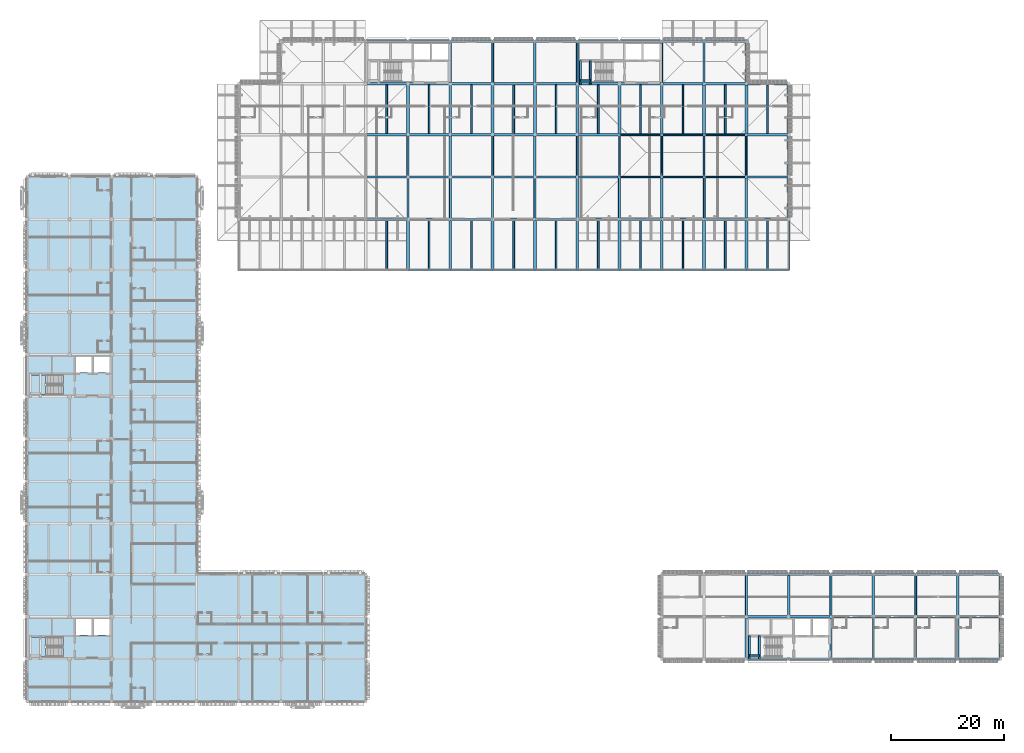
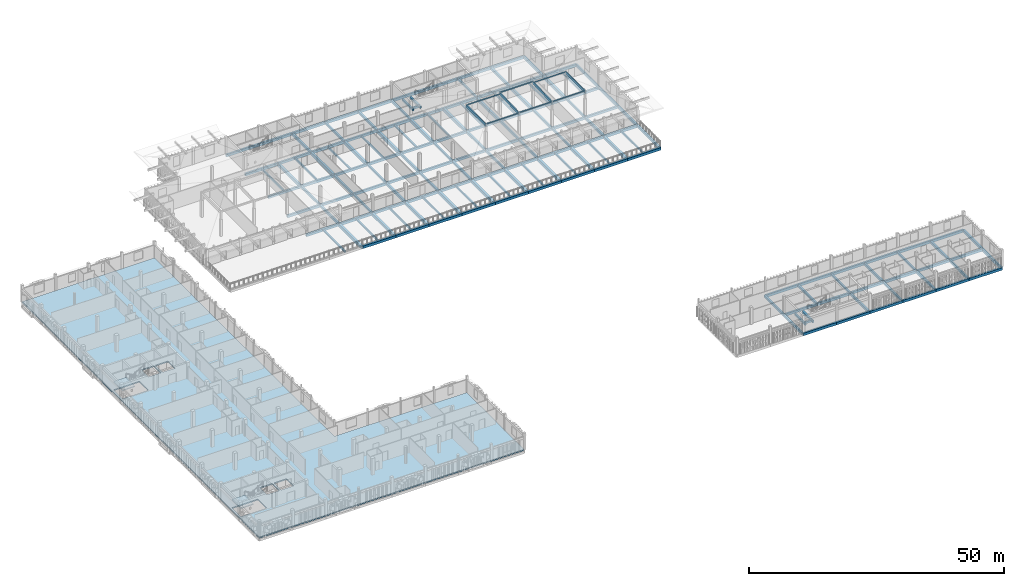
# One storey, part 13 of 48: 166 beams, 6 members, 3 slabs, 2 elements without a shape of their own.
"""IFC4 building model written with IfcOpenShell, lengths in metres."""

from ifc_helpers import new_model, si_unit, direction, frame, origin, origin_2d, place, context, subcontext, project, spatial, polyline, rectangle, i_section, outline, extrude, material, layer, layer_set, material_profile, profile_set, type_object, element, aggregate, save


model = new_model("IFC4")

# Units and contexts
model_context = context("Model", 3, precision=1e-05, world=origin(), true_north=direction((0.0, 1.0)))
body_context = subcontext(model_context, "Body", "Model", "MODEL_VIEW")
ifc_project = project(units=[si_unit("LENGTHUNIT", "METRE"), si_unit("AREAUNIT", "SQUARE_METRE"), si_unit("VOLUMEUNIT", "CUBIC_METRE"), si_unit("PLANEANGLEUNIT", "RADIAN"), si_unit("MASSUNIT", "GRAM", prefix="KILO")], contexts=[model_context])

# Site, building, storey
site_placement = place(None, origin())
site = spatial("IfcSite", under=ifc_project, at=site_placement, CompositionType="ELEMENT")
building_placement = place(site_placement, origin())
building = spatial("IfcBuilding", under=site, at=building_placement, Name="Dalvernix Boulevard General Hospital", CompositionType="ELEMENT")
storey_placement = place(building_placement, frame((0.0, 0.0, 17.85009765625)))
storey = spatial("IfcBuildingStorey", under=building, at=storey_placement, Name="L04", CompositionType="ELEMENT", Elevation=17.85009765625)

# Beams
ifc_material_1 = material(Name="Concrete C35/45", Category="concrete")
ifc_material_profile_1 = material_profile(ifc_material_1, rectangle(XDim=0.5, YDim=0.699951171875, at=origin_2d()), Name="RCB 500x700")
ifc_profile_set_1 = profile_set([ifc_material_profile_1], Name="Concrete C35/45")
beam_type_1 = type_object("IfcBeamType", Name="BM-B-01-I", PredefinedType="BEAM", material=ifc_profile_set_1)
for number, where, z_axis, x_axis, name in (
    (1, (67.5, 76.5, -0.630126953125), (0.0, 1.0, 0.0), (-1.0, 0.0, 0.0), "L04 N-S girder 10:L-M"),
    (2, (67.5, 100.5, -0.630126953125), (0.0, 1.0, 0.0), (-1.0, 0.0, 0.0), "L04 N-S girder 10:P-Q"),
    (3, (75.0, 76.5, -0.630126953125), (0.0, 1.0, 0.0), (-1.0, 0.0, 0.0), "L04 N-S girder 11:L-M"),
    (4, (75.0, 100.5, -0.630126953125), (0.0, 1.0, 0.0), (-1.0, 0.0, 0.0), "L04 N-S girder 11:P-Q"),
    (5, (82.5, 76.5, -0.630126953125), (0.0, 1.0, 0.0), (-1.0, 0.0, 0.0), "L04 N-S girder 12:L-M"),
    (6, (82.5, 100.5, -0.630126953125), (0.0, 1.0, 0.0), (-1.0, 0.0, 0.0), "L04 N-S girder 12:P-Q"),
    (7, (90.0, 76.5, -0.630126953125), (0.0, 1.0, 0.0), (-1.0, 0.0, 0.0), "L04 N-S girder 13:L-M"),
    (8, (90.0, 100.5, -0.630126953125), (0.0, 1.0, 0.0), (-1.0, 0.0, 0.0), "L04 N-S girder 13:P-Q"),
    (9, (97.5, 76.5, -0.630126953125), (0.0, 1.0, 0.0), (-1.0, 0.0, 0.0), "L04 N-S girder 14:L-M"),
    (10, (97.5, 100.5, -0.630126953125), (0.0, 1.0, 0.0), (-1.0, 0.0, 0.0), "L04 N-S girder 14:P-Q"),
    (11, (105.0, 76.5, -0.630126953125), (0.0, 1.0, 0.0), (-1.0, 0.0, 0.0), "L04 N-S girder 15:L-M"),
    (12, (105.0, 100.5, -0.630126953125), (0.0, 1.0, 0.0), (-1.0, 0.0, 0.0), "L04 N-S girder 15:P-Q"),
    (13, (112.5, 76.5, -0.630126953125), (0.0, 1.0, 0.0), (-1.0, 0.0, 0.0), "L04 N-S girder 16:L-M"),
    (14, (112.5, 100.5, -0.630126953125), (0.0, 1.0, 0.0), (-1.0, 0.0, 0.0), "L04 N-S girder 16:P-Q"),
    (15, (120.0, 76.5, -0.630126953125), (0.0, 1.0, 0.0), (-1.0, 0.0, 0.0), "L04 N-S girder 17:L-M"),
    (16, (120.0, 100.5, -0.630126953125), (0.0, 1.0, 0.0), (-1.0, 0.0, 0.0), "L04 N-S girder 17:P-Q"),
    (17, (127.5, 76.5, -0.630126953125), (0.0, 1.0, 0.0), (-1.0, 0.0, 0.0), "L04 N-S girder 18:L-M"),
    (18, (127.5, 100.5, -0.630126953125), (0.0, 1.0, 0.0), (-1.0, 0.0, 0.0), "L04 N-S girder 18:P-Q"),
):
    element("IfcBeam", number, at=place(storey_placement, frame(where, z_axis=z_axis, x_axis=x_axis)), inside=storey, type_object=beam_type_1, Name=name, PredefinedType="BEAM", context=body_context, shape_type="SweptSolid", body=[
        extrude(rectangle(XDim=0.5, YDim=0.699951171875, at=origin_2d()), origin(), (0.0, 0.0, 1.0), 9.0),
    ])
ifc_material_profile_2 = material_profile(ifc_material_1, rectangle(XDim=0.39990234375, YDim=0.60009765625, at=origin_2d()), Name="RCB 400x600")
ifc_profile_set_2 = profile_set([ifc_material_profile_2], Name="Concrete C35/45")
beam_type_2 = type_object("IfcBeamType", Name="BM-B-05-I", PredefinedType="BEAM", material=ifc_profile_set_2)
for number, where, z_axis, x_axis, name in (
    (19, (135.0, 15.0, -0.580078125), (1.0, 0.0, 0.0), (0.0, 1.0, 0.0), "L04 E-W girder C:19-20"),
    (20, (150.0, 15.0, -0.580078125), (1.0, 0.0, 0.0), (0.0, 1.0, 0.0), "L04 E-W girder C:21-22"),
    (21, (165.0, 15.0, -0.580078125), (1.0, 0.0, 0.0), (0.0, 1.0, 0.0), "L04 E-W girder C:23-24"),
    (22, (67.5, 85.5, -0.580078125), (1.0, 0.0, 0.0), (0.0, 1.0, 0.0), "L04 E-W girder M:10-11"),
    (23, (82.5, 85.5, -0.580078125), (1.0, 0.0, 0.0), (0.0, 1.0, 0.0), "L04 E-W girder M:12-13"),
    (24, (97.5, 85.5, -0.580078125), (1.0, 0.0, 0.0), (0.0, 1.0, 0.0), "L04 E-W girder M:14-15"),
    (25, (112.5, 85.5, -0.580078125), (1.0, 0.0, 0.0), (0.0, 1.0, 0.0), "L04 E-W girder M:16-17"),
    (26, (127.5, 85.5, -0.580078125), (1.0, 0.0, 0.0), (0.0, 1.0, 0.0), "L04 E-W girder M:18-19"),
    (27, (60.0, 93.0, -0.580078125), (1.0, 0.0, 0.0), (0.0, 1.0, 0.0), "L04 E-W girder N:9-10"),
    (28, (75.0, 93.0, -0.580078125), (1.0, 0.0, 0.0), (0.0, 1.0, 0.0), "L04 E-W girder N:11-12"),
    (29, (90.0, 93.0, -0.580078125), (1.0, 0.0, 0.0), (0.0, 1.0, 0.0), "L04 E-W girder N:13-14"),
    (30, (105.0, 93.0, -0.580078125), (1.0, 0.0, 0.0), (0.0, 1.0, 0.0), "L04 E-W girder N:15-16"),
    (31, (120.0, 93.0, -0.580078125), (1.0, 0.0, 0.0), (0.0, 1.0, 0.0), "L04 E-W girder N:17-18"),
    (32, (67.5, 100.5, -0.580078125), (1.0, 0.0, 0.0), (0.0, 1.0, 0.0), "L04 E-W girder P:10-11"),
    (33, (82.5, 100.5, -0.580078125), (1.0, 0.0, 0.0), (0.0, 1.0, 0.0), "L04 E-W girder P:12-13"),
    (34, (97.5, 100.5, -0.580078125), (1.0, 0.0, 0.0), (0.0, 1.0, 0.0), "L04 E-W girder P:14-15"),
    (35, (112.5, 100.5, -0.580078125), (1.0, 0.0, 0.0), (0.0, 1.0, 0.0), "L04 E-W girder P:16-17"),
    (36, (127.5, 100.5, -0.580078125), (1.0, 0.0, 0.0), (0.0, 1.0, 0.0), "L04 E-W girder P:18-19"),
    (37, (60.0, 109.5, -0.580078125), (1.0, 0.0, 0.0), (0.0, 1.0, 0.0), "L04 E-W girder Q:9-10"),
    (38, (75.0, 109.5, -0.580078125), (1.0, 0.0, 0.0), (0.0, 1.0, 0.0), "L04 E-W girder Q:11-12"),
    (39, (90.0, 109.5, -0.580078125), (1.0, 0.0, 0.0), (0.0, 1.0, 0.0), "L04 E-W girder Q:13-14"),
    (40, (105.0, 109.5, -0.580078125), (1.0, 0.0, 0.0), (0.0, 1.0, 0.0), "L04 E-W girder Q:15-16"),
    (41, (120.0, 109.5, -0.580078125), (1.0, 0.0, 0.0), (0.0, 1.0, 0.0), "L04 E-W girder Q:17-18"),
):
    element("IfcBeam", number, at=place(storey_placement, frame(where, z_axis=z_axis, x_axis=x_axis)), inside=storey, type_object=beam_type_2, Name=name, PredefinedType="BEAM", context=body_context, shape_type="SweptSolid", body=[
        extrude(rectangle(XDim=0.39990234375, YDim=0.60009765625, at=origin_2d()), origin(), (0.0, 0.0, 1.0), 7.5),
    ])
ifc_material_profile_3 = material_profile(ifc_material_1, rectangle(XDim=0.39990234375, YDim=0.550048828125, at=origin_2d()), Name="RCB 400x550")
ifc_profile_set_3 = profile_set([ifc_material_profile_3], Name="Concrete C35/45")
beam_type_3 = type_object("IfcBeamType", Name="BM-B-06-I", PredefinedType="BEAM", material=ifc_profile_set_3)
for number, where, z_axis, x_axis, name in (
    (42, (127.5, 15.0, -0.55517578125), (1.0, 0.0, 0.0), (0.0, 1.0, 0.0), "L04 E-W girder C:18-19"),
    (43, (142.5, 15.0, -0.55517578125), (1.0, 0.0, 0.0), (0.0, 1.0, 0.0), "L04 E-W girder C:20-21"),
    (44, (157.5, 15.0, -0.55517578125), (1.0, 0.0, 0.0), (0.0, 1.0, 0.0), "L04 E-W girder C:22-23"),
    (45, (60.0, 85.5, -0.55517578125), (1.0, 0.0, 0.0), (0.0, 1.0, 0.0), "L04 E-W girder M:9-10"),
    (46, (75.0, 85.5, -0.55517578125), (1.0, 0.0, 0.0), (0.0, 1.0, 0.0), "L04 E-W girder M:11-12"),
    (47, (90.0, 85.5, -0.55517578125), (1.0, 0.0, 0.0), (0.0, 1.0, 0.0), "L04 E-W girder M:13-14"),
    (48, (105.0, 85.5, -0.55517578125), (1.0, 0.0, 0.0), (0.0, 1.0, 0.0), "L04 E-W girder M:15-16"),
    (49, (120.0, 85.5, -0.55517578125), (1.0, 0.0, 0.0), (0.0, 1.0, 0.0), "L04 E-W girder M:17-18"),
    (50, (67.5, 93.0, -0.55517578125), (1.0, 0.0, 0.0), (0.0, 1.0, 0.0), "L04 E-W girder N:10-11"),
    (51, (82.5, 93.0, -0.55517578125), (1.0, 0.0, 0.0), (0.0, 1.0, 0.0), "L04 E-W girder N:12-13"),
    (52, (97.5, 93.0, -0.55517578125), (1.0, 0.0, 0.0), (0.0, 1.0, 0.0), "L04 E-W girder N:14-15"),
    (53, (112.5, 93.0, -0.55517578125), (1.0, 0.0, 0.0), (0.0, 1.0, 0.0), "L04 E-W girder N:16-17"),
    (54, (127.5, 93.0, -0.55517578125), (1.0, 0.0, 0.0), (0.0, 1.0, 0.0), "L04 E-W girder N:18-19"),
    (55, (60.0, 100.5, -0.55517578125), (1.0, 0.0, 0.0), (0.0, 1.0, 0.0), "L04 E-W girder P:9-10"),
    (56, (75.0, 100.5, -0.55517578125), (1.0, 0.0, 0.0), (0.0, 1.0, 0.0), "L04 E-W girder P:11-12"),
    (57, (90.0, 100.5, -0.55517578125), (1.0, 0.0, 0.0), (0.0, 1.0, 0.0), "L04 E-W girder P:13-14"),
    (58, (105.0, 100.5, -0.55517578125), (1.0, 0.0, 0.0), (0.0, 1.0, 0.0), "L04 E-W girder P:15-16"),
    (59, (120.0, 100.5, -0.55517578125), (1.0, 0.0, 0.0), (0.0, 1.0, 0.0), "L04 E-W girder P:17-18"),
    (60, (67.5, 109.5, -0.55517578125), (1.0, 0.0, 0.0), (0.0, 1.0, 0.0), "L04 E-W girder Q:10-11"),
    (61, (82.5, 109.5, -0.55517578125), (1.0, 0.0, 0.0), (0.0, 1.0, 0.0), "L04 E-W girder Q:12-13"),
    (62, (97.5, 109.5, -0.55517578125), (1.0, 0.0, 0.0), (0.0, 1.0, 0.0), "L04 E-W girder Q:14-15"),
    (63, (112.5, 109.5, -0.55517578125), (1.0, 0.0, 0.0), (0.0, 1.0, 0.0), "L04 E-W girder Q:16-17"),
    (64, (67.5, 85.5, -0.55517578125), (0.0, 1.0, 0.0), (-1.0, 0.0, 0.0), "L04 N-S girder 10:M-N"),
    (65, (75.0, 93.0, -0.55517578125), (0.0, 1.0, 0.0), (-1.0, 0.0, 0.0), "L04 N-S girder 11:N-P"),
    (66, (75.0, 109.5, -0.55517578125), (0.0, 1.0, 0.0), (-1.0, 0.0, 0.0), "L04 N-S girder 11:Q-R"),
    (67, (82.5, 85.5, -0.55517578125), (0.0, 1.0, 0.0), (-1.0, 0.0, 0.0), "L04 N-S girder 12:M-N"),
    (68, (90.0, 93.0, -0.55517578125), (0.0, 1.0, 0.0), (-1.0, 0.0, 0.0), "L04 N-S girder 13:N-P"),
    (69, (90.0, 109.5, -0.55517578125), (0.0, 1.0, 0.0), (-1.0, 0.0, 0.0), "L04 N-S girder 13:Q-R"),
    (70, (97.5, 85.5, -0.55517578125), (0.0, 1.0, 0.0), (-1.0, 0.0, 0.0), "L04 N-S girder 14:M-N"),
    (71, (105.0, 93.0, -0.55517578125), (0.0, 1.0, 0.0), (-1.0, 0.0, 0.0), "L04 N-S girder 15:N-P"),
    (72, (112.5, 85.5, -0.55517578125), (0.0, 1.0, 0.0), (-1.0, 0.0, 0.0), "L04 N-S girder 16:M-N"),
    (73, (120.0, 93.0, -0.55517578125), (0.0, 1.0, 0.0), (-1.0, 0.0, 0.0), "L04 N-S girder 17:N-P"),
    (74, (120.0, 109.5, -0.55517578125), (0.0, 1.0, 0.0), (-1.0, 0.0, 0.0), "L04 N-S girder 17:Q-R"),
    (75, (127.5, 7.5, -0.55517578125), (0.0, 1.0, 0.0), (-1.0, 0.0, 0.0), "L04 N-S girder 18:B-C"),
    (76, (127.5, 85.5, -0.55517578125), (0.0, 1.0, 0.0), (-1.0, 0.0, 0.0), "L04 N-S girder 18:M-N"),
    (77, (135.0, 15.0, -0.55517578125), (0.0, 1.0, 0.0), (-1.0, 0.0, 0.0), "L04 N-S girder 19:C-D"),
    (78, (142.5, 7.5, -0.55517578125), (0.0, 1.0, 0.0), (-1.0, 0.0, 0.0), "L04 N-S girder 20:B-C"),
    (79, (150.0, 15.0, -0.55517578125), (0.0, 1.0, 0.0), (-1.0, 0.0, 0.0), "L04 N-S girder 21:C-D"),
    (80, (157.5, 7.5, -0.55517578125), (0.0, 1.0, 0.0), (-1.0, 0.0, 0.0), "L04 N-S girder 22:B-C"),
    (81, (165.0, 15.0, -0.55517578125), (0.0, 1.0, 0.0), (-1.0, 0.0, 0.0), "L04 N-S girder 23:C-D"),
):
    element("IfcBeam", number, at=place(storey_placement, frame(where, z_axis=z_axis, x_axis=x_axis)), inside=storey, type_object=beam_type_3, Name=name, PredefinedType="BEAM", context=body_context, shape_type="SweptSolid", body=[
        extrude(rectangle(XDim=0.39990234375, YDim=0.550048828125, at=origin_2d()), origin(), (0.0, 0.0, 1.0), 7.5),
    ])
ifc_material_profile_4 = material_profile(ifc_material_1, rectangle(XDim=0.35009765625, YDim=0.5, at=origin_2d()), Name="RCB 350x500")
ifc_profile_set_4 = profile_set([ifc_material_profile_4], Name="Concrete C35/45")
beam_type_4 = type_object("IfcBeamType", Name="BM-B-08", PredefinedType="BEAM", material=ifc_profile_set_4)
for number, where, z_axis, x_axis, name in (
    (82, (98.050048828125, 109.5, 1.574951171875), (0.0, 1.0, 0.0), (-1.0, 0.0, 0.0), "L04 C4 stair half-landing beam 1"),
    (83, (99.800048828125, 109.5, 1.574951171875), (0.0, 1.0, 0.0), (-1.0, 0.0, 0.0), "L04 C4 stair half-landing beam 2"),
):
    element("IfcBeam", number, at=place(storey_placement, frame(where, z_axis=z_axis, x_axis=x_axis)), inside=storey, type_object=beam_type_4, Name=name, PredefinedType="BEAM", context=body_context, shape_type="SweptSolid", body=[
        extrude(rectangle(XDim=0.35009765625, YDim=0.5, at=origin_2d()), origin(), (0.0, 0.0, 1.0), 4.10009765625),
    ])
beam_1_placement = place(storey_placement, frame((98.050048828125, 110.050048828125, 1.574951171875), z_axis=(1.0, 0.0, 0.0), x_axis=(0.0, 1.0, 0.0)))
element("IfcBeam", 84, at=beam_1_placement, inside=storey, type_object=beam_type_4, Name="L04 C4 stair half-landing tie beam", PredefinedType="BEAM", context=body_context, shape_type="SweptSolid", body=[
    extrude(rectangle(XDim=0.35009765625, YDim=0.5, at=origin_2d()), origin(), (0.0, 0.0, 1.0), 1.75),
])
for number, where, z_axis, x_axis, name in (
    (85, (128.050048828125, 7.5, 1.574951171875), (0.0, 1.0, 0.0), (-1.0, 0.0, 0.0), "L04 C5 stair half-landing beam 1"),
    (86, (129.800048828125, 7.5, 1.574951171875), (0.0, 1.0, 0.0), (-1.0, 0.0, 0.0), "L04 C5 stair half-landing beam 2"),
):
    element("IfcBeam", number, at=place(storey_placement, frame(where, z_axis=z_axis, x_axis=x_axis)), inside=storey, type_object=beam_type_4, Name=name, PredefinedType="BEAM", context=body_context, shape_type="SweptSolid", body=[
        extrude(rectangle(XDim=0.35009765625, YDim=0.5, at=origin_2d()), origin(), (0.0, 0.0, 1.0), 4.10009765625),
    ])
beam_2_placement = place(storey_placement, frame((128.050048828125, 8.050048828125, 1.574951171875), z_axis=(1.0, 0.0, 0.0), x_axis=(0.0, 1.0, 0.0)))
element("IfcBeam", 87, at=beam_2_placement, inside=storey, type_object=beam_type_4, Name="L04 C5 stair half-landing tie beam", PredefinedType="BEAM", context=body_context, shape_type="SweptSolid", body=[
    extrude(rectangle(XDim=0.35009765625, YDim=0.5, at=origin_2d()), origin(), (0.0, 0.0, 1.0), 1.75),
])
ifc_material_profile_5 = material_profile(ifc_material_1, rectangle(XDim=0.35009765625, YDim=0.5, at=origin_2d()), Name="RCB 350x500")
ifc_profile_set_5 = profile_set([ifc_material_profile_5], Name="Concrete C35/45")
beam_type_5 = type_object("IfcBeamType", Name="BM-B-08-I", PredefinedType="BEAM", material=ifc_profile_set_5)
for number, where, z_axis, x_axis, name in (
    (88, (67.5, 93.0, -0.530029296875), (0.0, 1.0, 0.0), (-1.0, 0.0, 0.0), "L04 N-S girder 10:N-P"),
    (89, (75.0, 85.5, -0.530029296875), (0.0, 1.0, 0.0), (-1.0, 0.0, 0.0), "L04 N-S girder 11:M-N"),
    (90, (82.5, 93.0, -0.530029296875), (0.0, 1.0, 0.0), (-1.0, 0.0, 0.0), "L04 N-S girder 12:N-P"),
    (91, (82.5, 109.5, -0.530029296875), (0.0, 1.0, 0.0), (-1.0, 0.0, 0.0), "L04 N-S girder 12:Q-R"),
    (92, (90.0, 85.5, -0.530029296875), (0.0, 1.0, 0.0), (-1.0, 0.0, 0.0), "L04 N-S girder 13:M-N"),
    (93, (97.5, 93.0, -0.530029296875), (0.0, 1.0, 0.0), (-1.0, 0.0, 0.0), "L04 N-S girder 14:N-P"),
    (94, (97.5, 109.5, -0.530029296875), (0.0, 1.0, 0.0), (-1.0, 0.0, 0.0), "L04 N-S girder 14:Q-R"),
    (95, (105.0, 85.5, -0.530029296875), (0.0, 1.0, 0.0), (-1.0, 0.0, 0.0), "L04 N-S girder 15:M-N"),
    (96, (112.5, 93.0, -0.530029296875), (0.0, 1.0, 0.0), (-1.0, 0.0, 0.0), "L04 N-S girder 16:N-P"),
    (97, (112.5, 109.5, -0.530029296875), (0.0, 1.0, 0.0), (-1.0, 0.0, 0.0), "L04 N-S girder 16:Q-R"),
    (98, (120.0, 85.5, -0.530029296875), (0.0, 1.0, 0.0), (-1.0, 0.0, 0.0), "L04 N-S girder 17:M-N"),
    (99, (127.5, 15.0, -0.530029296875), (0.0, 1.0, 0.0), (-1.0, 0.0, 0.0), "L04 N-S girder 18:C-D"),
    (100, (127.5, 93.0, -0.530029296875), (0.0, 1.0, 0.0), (-1.0, 0.0, 0.0), "L04 N-S girder 18:N-P"),
    (101, (142.5, 15.0, -0.530029296875), (0.0, 1.0, 0.0), (-1.0, 0.0, 0.0), "L04 N-S girder 20:C-D"),
    (102, (150.0, 7.5, -0.530029296875), (0.0, 1.0, 0.0), (-1.0, 0.0, 0.0), "L04 N-S girder 21:B-C"),
    (103, (157.5, 15.0, -0.530029296875), (0.0, 1.0, 0.0), (-1.0, 0.0, 0.0), "L04 N-S girder 22:C-D"),
    (104, (165.0, 7.5, -0.530029296875), (0.0, 1.0, 0.0), (-1.0, 0.0, 0.0), "L04 N-S girder 23:B-C"),
):
    element("IfcBeam", number, at=place(storey_placement, frame(where, z_axis=z_axis, x_axis=x_axis)), inside=storey, type_object=beam_type_5, Name=name, PredefinedType="BEAM", context=body_context, shape_type="SweptSolid", body=[
        extrude(rectangle(XDim=0.35009765625, YDim=0.5, at=origin_2d()), origin(), (0.0, 0.0, 1.0), 7.5),
    ])
ifc_material_2 = material(Name="Glulam GL28h", Category="wood")
ifc_material_profile_6 = material_profile(ifc_material_2, rectangle(XDim=0.219970703125, YDim=0.60009765625, at=origin_2d()), Name="GL28h 220x600")
ifc_profile_set_6 = profile_set([ifc_material_profile_6], Name="Glulam GL28h")
beam_type_6 = type_object("IfcBeamType", Name="BM-GB-T2", PredefinedType="JOIST", material=ifc_profile_set_6)
beam_3_placement = place(storey_placement, frame((105.0, 93.0, 5.561767578125), z_axis=(0.0, 1.0, 0.0), x_axis=(-1.0, 0.0, 0.0)))
element("IfcBeam", 105, at=beam_3_placement, inside=storey, type_object=beam_type_6, Name="V3E pitched glulam rafter 15:N-P", PredefinedType="JOIST", context=body_context, shape_type="SweptSolid", body=[
    extrude(rectangle(XDim=0.219970703125, YDim=0.60009765625, at=origin_2d()), origin(), (0.0, 0.0, 1.0), 7.5),
])
for number, where, z_axis, x_axis, name in (
    (106, (112.5, 93.0, 5.659912109375), (0.0, 0.999351365394, 0.036011782601), (-1.0, 0.0, 0.0), "V3E pitched glulam rafter 16:N-P"),
    (107, (120.0, 93.0, 5.659912109375), (0.0, 0.999351365394, 0.036011782601), (-1.0, 0.0, 0.0), "V3E pitched glulam rafter 17:N-P"),
):
    element("IfcBeam", number, at=place(storey_placement, frame(where, z_axis=z_axis, x_axis=x_axis)), inside=storey, type_object=beam_type_6, Name=name, PredefinedType="JOIST", context=body_context, shape_type="SweptSolid", body=[
        extrude(rectangle(XDim=0.219970703125, YDim=0.60009765625, at=origin_2d()), origin(), (0.0, 0.0, 1.0), 7.5048828125),
    ])
beam_4_placement = place(storey_placement, frame((127.5, 93.0, 5.659912109375), z_axis=(0.0, 1.0, 0.0), x_axis=(-1.0, 0.0, 0.0)))
element("IfcBeam", 108, at=beam_4_placement, inside=storey, type_object=beam_type_6, Name="V3E pitched glulam rafter 18:N-P", PredefinedType="JOIST", context=body_context, shape_type="SweptSolid", body=[
    extrude(rectangle(XDim=0.219970703125, YDim=0.60009765625, at=origin_2d()), origin(), (0.0, 0.0, 1.0), 7.5),
])
ifc_material_profile_7 = material_profile(ifc_material_1, rectangle(XDim=0.300048828125, YDim=0.39990234375, at=origin_2d()), Name="RCB 300x400")
ifc_profile_set_7 = profile_set([ifc_material_profile_7], Name="Concrete C35/45")
beam_type_7 = type_object("IfcBeamType", Name="BM-JB-01", PredefinedType="JOIST", material=ifc_profile_set_7)
for number, where, z_axis, x_axis, name in (
    (109, (63.75, 76.699951171875, -0.47998046875), (0.0, 1.0, 0.0), (-1.0, 0.0, 0.0), "L04 secondary floor beam 9-L"),
    (110, (63.75, 100.699951171875, -0.47998046875), (0.0, 1.0, 0.0), (-1.0, 0.0, 0.0), "L04 secondary floor beam 9-P"),
    (111, (71.25, 76.699951171875, -0.47998046875), (0.0, 1.0, 0.0), (-1.0, 0.0, 0.0), "L04 secondary floor beam 10-L"),
    (112, (71.25, 100.699951171875, -0.47998046875), (0.0, 1.0, 0.0), (-1.0, 0.0, 0.0), "L04 secondary floor beam 10-P"),
    (113, (78.75, 76.699951171875, -0.47998046875), (0.0, 1.0, 0.0), (-1.0, 0.0, 0.0), "L04 secondary floor beam 11-L"),
    (114, (78.75, 100.699951171875, -0.47998046875), (0.0, 1.0, 0.0), (-1.0, 0.0, 0.0), "L04 secondary floor beam 11-P"),
    (115, (86.25, 76.699951171875, -0.47998046875), (0.0, 1.0, 0.0), (-1.0, 0.0, 0.0), "L04 secondary floor beam 12-L"),
    (116, (86.25, 100.699951171875, -0.47998046875), (0.0, 1.0, 0.0), (-1.0, 0.0, 0.0), "L04 secondary floor beam 12-P"),
    (117, (93.75, 76.699951171875, -0.47998046875), (0.0, 1.0, 0.0), (-1.0, 0.0, 0.0), "L04 secondary floor beam 13-L"),
    (118, (93.75, 100.699951171875, -0.47998046875), (0.0, 1.0, 0.0), (-1.0, 0.0, 0.0), "L04 secondary floor beam 13-P"),
    (119, (101.25, 76.699951171875, -0.47998046875), (0.0, 1.0, 0.0), (-1.0, 0.0, 0.0), "L04 secondary floor beam 14-L"),
    (120, (101.25, 100.699951171875, -0.47998046875), (0.0, 1.0, 0.0), (-1.0, 0.0, 0.0), "L04 secondary floor beam 14-P"),
    (121, (108.75, 76.699951171875, -0.47998046875), (0.0, 1.0, 0.0), (-1.0, 0.0, 0.0), "L04 secondary floor beam 15-L"),
    (122, (108.75, 100.699951171875, -0.47998046875), (0.0, 1.0, 0.0), (-1.0, 0.0, 0.0), "L04 secondary floor beam 15-P"),
    (123, (116.25, 76.699951171875, -0.47998046875), (0.0, 1.0, 0.0), (-1.0, 0.0, 0.0), "L04 secondary floor beam 16-L"),
    (124, (116.25, 100.699951171875, -0.47998046875), (0.0, 1.0, 0.0), (-1.0, 0.0, 0.0), "L04 secondary floor beam 16-P"),
    (125, (123.75, 76.699951171875, -0.47998046875), (0.0, 1.0, 0.0), (-1.0, 0.0, 0.0), "L04 secondary floor beam 17-L"),
    (126, (123.75, 100.699951171875, -0.47998046875), (0.0, 1.0, 0.0), (-1.0, 0.0, 0.0), "L04 secondary floor beam 17-P"),
    (127, (131.25, 76.699951171875, -0.47998046875), (0.0, 1.0, 0.0), (-1.0, 0.0, 0.0), "L04 secondary floor beam 18-L"),
    (128, (131.25, 100.699951171875, -0.47998046875), (0.0, 1.0, 0.0), (-1.0, 0.0, 0.0), "L04 secondary floor beam 18-P"),
):
    element("IfcBeam", number, at=place(storey_placement, frame(where, z_axis=z_axis, x_axis=x_axis)), inside=storey, type_object=beam_type_7, Name=name, PredefinedType="JOIST", context=body_context, shape_type="SweptSolid", body=[
        extrude(rectangle(XDim=0.300048828125, YDim=0.39990234375, at=origin_2d()), origin(), (0.0, 0.0, 1.0), 8.60009765625),
    ])
ifc_material_profile_8 = material_profile(ifc_material_1, rectangle(XDim=0.35009765625, YDim=0.550048828125, at=origin_2d()), Name="RCB 350x550")
ifc_profile_set_8 = profile_set([ifc_material_profile_8], Name="Concrete C35/45")
beam_type_8 = type_object("IfcBeamType", Name="BM-SB-01-E", PredefinedType="SPANDREL", material=ifc_profile_set_8)
for number, where, z_axis, x_axis, name in (
    (129, (135.0, 76.5, -0.55517578125), (0.0, 1.0, 0.0), (-1.0, 0.0, 0.0), "L04 N-S girder 19:L-M"),
    (130, (135.0, 100.5, -0.55517578125), (0.0, 1.0, 0.0), (-1.0, 0.0, 0.0), "L04 N-S girder 19:P-Q"),
):
    element("IfcBeam", number, at=place(storey_placement, frame(where, z_axis=z_axis, x_axis=x_axis)), inside=storey, type_object=beam_type_8, Name=name, PredefinedType="SPANDREL", context=body_context, shape_type="SweptSolid", body=[
        extrude(rectangle(XDim=0.35009765625, YDim=0.550048828125, at=origin_2d()), origin(), (0.0, 0.0, 1.0), 9.0),
    ])
ifc_material_profile_9 = material_profile(ifc_material_1, rectangle(XDim=0.39990234375, YDim=0.60009765625, at=origin_2d()), Name="RCB 400x600")
ifc_profile_set_9 = profile_set([ifc_material_profile_9], Name="Concrete C35/45")
beam_type_9 = type_object("IfcBeamType", Name="BM-SB-02-E", PredefinedType="SPANDREL", material=ifc_profile_set_9)
for number, where, z_axis, x_axis, name in (
    (131, (127.5, 7.5, -0.580078125), (1.0, 0.0, 0.0), (0.0, 1.0, 0.0), "L04 E-W girder B:18-19"),
    (132, (135.0, 7.5, -0.580078125), (1.0, 0.0, 0.0), (0.0, 1.0, 0.0), "L04 E-W girder B:19-20"),
    (133, (142.5, 7.5, -0.580078125), (1.0, 0.0, 0.0), (0.0, 1.0, 0.0), "L04 E-W girder B:20-21"),
    (134, (150.0, 7.5, -0.580078125), (1.0, 0.0, 0.0), (0.0, 1.0, 0.0), "L04 E-W girder B:21-22"),
    (135, (157.5, 7.5, -0.580078125), (1.0, 0.0, 0.0), (0.0, 1.0, 0.0), "L04 E-W girder B:22-23"),
    (136, (165.0, 7.5, -0.580078125), (1.0, 0.0, 0.0), (0.0, 1.0, 0.0), "L04 E-W girder B:23-24"),
    (137, (127.5, 22.5, -0.580078125), (1.0, 0.0, 0.0), (0.0, 1.0, 0.0), "L04 E-W girder D:18-19"),
    (138, (135.0, 22.5, -0.580078125), (1.0, 0.0, 0.0), (0.0, 1.0, 0.0), "L04 E-W girder D:19-20"),
    (139, (142.5, 22.5, -0.580078125), (1.0, 0.0, 0.0), (0.0, 1.0, 0.0), "L04 E-W girder D:20-21"),
    (140, (150.0, 22.5, -0.580078125), (1.0, 0.0, 0.0), (0.0, 1.0, 0.0), "L04 E-W girder D:21-22"),
    (141, (157.5, 22.5, -0.580078125), (1.0, 0.0, 0.0), (0.0, 1.0, 0.0), "L04 E-W girder D:22-23"),
    (142, (165.0, 22.5, -0.580078125), (1.0, 0.0, 0.0), (0.0, 1.0, 0.0), "L04 E-W girder D:23-24"),
    (143, (67.5, 76.5, -0.580078125), (1.0, 0.0, 0.0), (0.0, 1.0, 0.0), "L04 E-W girder L:10-11"),
    (144, (75.0, 76.5, -0.580078125), (1.0, 0.0, 0.0), (0.0, 1.0, 0.0), "L04 E-W girder L:11-12"),
    (145, (82.5, 76.5, -0.580078125), (1.0, 0.0, 0.0), (0.0, 1.0, 0.0), "L04 E-W girder L:12-13"),
    (146, (90.0, 76.5, -0.580078125), (1.0, 0.0, 0.0), (0.0, 1.0, 0.0), "L04 E-W girder L:13-14"),
    (147, (97.5, 76.5, -0.580078125), (1.0, 0.0, 0.0), (0.0, 1.0, 0.0), "L04 E-W girder L:14-15"),
    (148, (105.0, 76.5, -0.580078125), (1.0, 0.0, 0.0), (0.0, 1.0, 0.0), "L04 E-W girder L:15-16"),
    (149, (112.5, 76.5, -0.580078125), (1.0, 0.0, 0.0), (0.0, 1.0, 0.0), "L04 E-W girder L:16-17"),
    (150, (120.0, 76.5, -0.580078125), (1.0, 0.0, 0.0), (0.0, 1.0, 0.0), "L04 E-W girder L:17-18"),
    (151, (127.5, 76.5, -0.580078125), (1.0, 0.0, 0.0), (0.0, 1.0, 0.0), "L04 E-W girder L:18-19"),
    (152, (127.5, 109.5, -0.580078125), (1.0, 0.0, 0.0), (0.0, 1.0, 0.0), "L04 E-W girder Q:18-19"),
    (153, (60.0, 117.0, -0.580078125), (1.0, 0.0, 0.0), (0.0, 1.0, 0.0), "L04 E-W girder R:9-10"),
    (154, (67.5, 117.0, -0.580078125), (1.0, 0.0, 0.0), (0.0, 1.0, 0.0), "L04 E-W girder R:10-11"),
    (155, (75.0, 117.0, -0.580078125), (1.0, 0.0, 0.0), (0.0, 1.0, 0.0), "L04 E-W girder R:11-12"),
    (156, (82.5, 117.0, -0.580078125), (1.0, 0.0, 0.0), (0.0, 1.0, 0.0), "L04 E-W girder R:12-13"),
    (157, (90.0, 117.0, -0.580078125), (1.0, 0.0, 0.0), (0.0, 1.0, 0.0), "L04 E-W girder R:13-14"),
    (158, (97.5, 117.0, -0.580078125), (1.0, 0.0, 0.0), (0.0, 1.0, 0.0), "L04 E-W girder R:14-15"),
    (159, (105.0, 117.0, -0.580078125), (1.0, 0.0, 0.0), (0.0, 1.0, 0.0), "L04 E-W girder R:15-16"),
    (160, (112.5, 117.0, -0.580078125), (1.0, 0.0, 0.0), (0.0, 1.0, 0.0), "L04 E-W girder R:16-17"),
    (161, (120.0, 117.0, -0.580078125), (1.0, 0.0, 0.0), (0.0, 1.0, 0.0), "L04 E-W girder R:17-18"),
    (162, (127.5, 109.5, -0.580078125), (0.0, 1.0, 0.0), (-1.0, 0.0, 0.0), "L04 N-S girder 18:Q-R"),
    (163, (135.0, 85.5, -0.580078125), (0.0, 1.0, 0.0), (-1.0, 0.0, 0.0), "L04 N-S girder 19:M-N"),
    (164, (135.0, 93.0, -0.580078125), (0.0, 1.0, 0.0), (-1.0, 0.0, 0.0), "L04 N-S girder 19:N-P"),
    (165, (172.5, 7.5, -0.580078125), (0.0, 1.0, 0.0), (-1.0, 0.0, 0.0), "L04 N-S girder 24:B-C"),
    (166, (172.5, 15.0, -0.580078125), (0.0, 1.0, 0.0), (-1.0, 0.0, 0.0), "L04 N-S girder 24:C-D"),
):
    element("IfcBeam", number, at=place(storey_placement, frame(where, z_axis=z_axis, x_axis=x_axis)), inside=storey, type_object=beam_type_9, Name=name, PredefinedType="SPANDREL", context=body_context, shape_type="SweptSolid", body=[
        extrude(rectangle(XDim=0.39990234375, YDim=0.60009765625, at=origin_2d()), origin(), (0.0, 0.0, 1.0), 7.5),
    ])

# Members
ifc_material_3 = material(Name="Steel S355", Category="steel")
ifc_material_profile_10 = material_profile(ifc_material_3, i_section(OverallWidth=0.199951171875, OverallDepth=0.199951171875, WebThickness=0.009033203125, FlangeThickness=0.014892578125, FilletRadius=0.01806640625, at=origin_2d()), Name="HEB 200")
ifc_profile_set_10 = profile_set([ifc_material_profile_10], Name="Steel S355")
member_type = type_object("IfcMemberType", Name="MEM-PR-06", PredefinedType="PURLIN", material=ifc_profile_set_10)
for number, where, z_axis, x_axis, name in (
    (167, (105.0, 93.0, 5.771728515625), (1.0, 0.0, 0.0), (0.0, 1.0, 0.0), "V3E attic purlin 15-16:N"),
    (168, (105.0, 100.5, 5.771728515625), (1.0, 0.0, 0.0), (0.0, 1.0, 0.0), "V3E attic purlin 15-16:P"),
    (169, (112.5, 93.0, 5.8701171875), (1.0, 0.0, 0.0), (0.0, 1.0, 0.0), "V3E attic purlin 16-17:N"),
    (170, (112.5, 100.5, 6.14013671875), (1.0, 0.0, 0.0), (0.0, 1.0, 0.0), "V3E attic purlin 16-17:P"),
    (171, (120.0, 93.0, 5.8701171875), (1.0, 0.0, 0.0), (0.0, 1.0, 0.0), "V3E attic purlin 17-18:N"),
    (172, (120.0, 100.5, 5.8701171875), (1.0, 0.0, 0.0), (0.0, 1.0, 0.0), "V3E attic purlin 17-18:P"),
):
    element("IfcMember", number, at=place(storey_placement, frame(where, z_axis=z_axis, x_axis=x_axis)), inside=storey, type_object=member_type, Name=name, PredefinedType="PURLIN", context=body_context, shape_type="SweptSolid", body=[
        extrude(i_section(OverallWidth=0.199951171875, OverallDepth=0.199951171875, WebThickness=0.009033203125, FlangeThickness=0.014892578125, FilletRadius=0.01806640625, at=origin_2d()), origin(), (0.0, 0.0, 1.0), 7.5),
    ])

# Slab
ifc_layer_1 = layer(ifc_material_1, 0.280029296875)
ifc_layer_set_1 = layer_set([ifc_layer_1], Name="Concrete C35/45 (SLB-FS-04)")
slab_type_1 = type_object("IfcSlabType", Name="SLB-FS-04", PredefinedType="FLOOR", material=ifc_layer_set_1)
slab_1_placement = place(storey_placement, frame((0.0, 0.0, -0.280029296875)))
element("IfcSlab", 173, at=slab_1_placement, inside=storey, type_object=slab_type_1, Name="L04 V4 structural floor slab 1", PredefinedType="FLOOR", context=body_context, shape_type="SweptSolid", body=[
    extrude(outline(polyline([(0.0, 69.0), (0.0, 76.5), (0.0, 85.5), (0.0, 93.0), (7.5, 93.0), (15.0, 93.0), (22.5, 93.0), (30.0, 93.0), (30.0, 85.5), (30.0, 76.5), (30.0, 69.0), (30.0, 61.5), (30.0, 54.0), (30.0, 46.5), (30.0, 39.0), (30.0, 31.5), (30.0, 22.5), (37.5, 22.5), (45.0, 22.5), (52.5, 22.5), (60.0, 22.5), (60.0, 15.0), (60.0, 7.5), (60.0, 0.0), (52.5, 0.0), (45.0, 0.0), (37.5, 0.0), (30.0, 0.0), (22.5, 0.0), (15.0, 0.0), (7.5, 0.0), (0.0, 0.0), (0.0, 7.5), (0.0, 15.0), (0.0, 22.5), (0.0, 31.5), (0.0, 39.0), (0.0, 46.5), (0.0, 54.0), (0.0, 61.5), (0.0, 69.0)]), holes=[polyline([(0.39990234375, 11.39990234375), (0.39990234375, 7.89990234375), (6.2900390625, 7.89990234375), (6.2900390625, 11.39990234375), (0.39990234375, 11.39990234375)]), polyline([(11.39990234375, 14.60009765625), (8.60009765625, 14.60009765625), (8.60009765625, 11.800048828125), (11.39990234375, 11.800048828125), (11.39990234375, 14.60009765625)]), polyline([(14.60009765625, 11.800048828125), (14.60009765625, 14.60009765625), (11.800048828125, 14.60009765625), (11.800048828125, 11.800048828125), (14.60009765625, 11.800048828125)]), polyline([(0.39990234375, 54.39990234375), (6.2900390625, 54.39990234375), (6.2900390625, 57.89990234375), (0.39990234375, 57.89990234375), (0.39990234375, 54.39990234375)]), polyline([(8.60009765625, 61.10009765625), (8.60009765625, 58.300048828125), (11.39990234375, 58.300048828125), (11.39990234375, 61.10009765625), (8.60009765625, 61.10009765625)]), polyline([(14.60009765625, 61.10009765625), (11.800048828125, 61.10009765625), (11.800048828125, 58.300048828125), (14.60009765625, 58.300048828125), (14.60009765625, 61.10009765625)])]), origin(), (0.0, 0.0, 1.0), 0.280029296875),
])

# Stair, slab
ifc_material_4 = material(Name="Precast concrete C40/50", Category="concrete")
stair_type = type_object("IfcStairType", Name="IFCSTAIR-STC-165x405", PredefinedType="HALF_TURN_STAIR", material=ifc_material_4)
stair_1_placement = place(storey_placement, origin())
stair_1 = element("IfcStair", 174, at=stair_1_placement, inside=storey, type_object=stair_type, Name="L04 Core C1 Exit Stair ST-01", PredefinedType="HALF_TURN_STAIR")
ifc_layer_2 = layer(ifc_material_4, 0.199951171875)
ifc_layer_set_2 = layer_set([ifc_layer_2], Name="Precast concrete C40/50 (SLB-LND-01)")
slab_type_2 = type_object("IfcSlabType", Name="SLB-LND-01", PredefinedType="LANDING", material=ifc_layer_set_2)
slab_2_placement = place(storey_placement, frame((0.0, 0.0, 1.824951171875)))
slab_2 = element("IfcSlab", 175, at=slab_2_placement, type_object=slab_type_2, Name="ST-01 landing 1", PredefinedType="LANDING", context=body_context, shape_type="SweptSolid", body=[
    extrude(outline(polyline([(3.27001953125, 11.39990234375), (0.39990234375, 11.39990234375), (0.39990234375, 7.89990234375), (3.27001953125, 7.89990234375), (3.27001953125, 11.39990234375)])), origin(), (0.0, 0.0, 1.0), 0.199951171875),
])
aggregate(stair_1, [slab_2])

stair_2_placement = place(storey_placement, origin())
stair_2 = element("IfcStair", 176, at=stair_2_placement, inside=storey, type_object=stair_type, Name="L04 Core C2 Exit Stair ST-02", PredefinedType="HALF_TURN_STAIR")
slab_3_placement = place(storey_placement, frame((0.0, 0.0, 1.824951171875)))
slab_3 = element("IfcSlab", 177, at=slab_3_placement, type_object=slab_type_2, Name="ST-02 landing 1", PredefinedType="LANDING", context=body_context, shape_type="SweptSolid", body=[
    extrude(outline(polyline([(3.27001953125, 57.89990234375), (0.39990234375, 57.89990234375), (0.39990234375, 54.39990234375), (3.27001953125, 54.39990234375), (3.27001953125, 57.89990234375)])), origin(), (0.0, 0.0, 1.0), 0.199951171875),
])
aggregate(stair_2, [slab_3])

save(model, "model.ifc")
